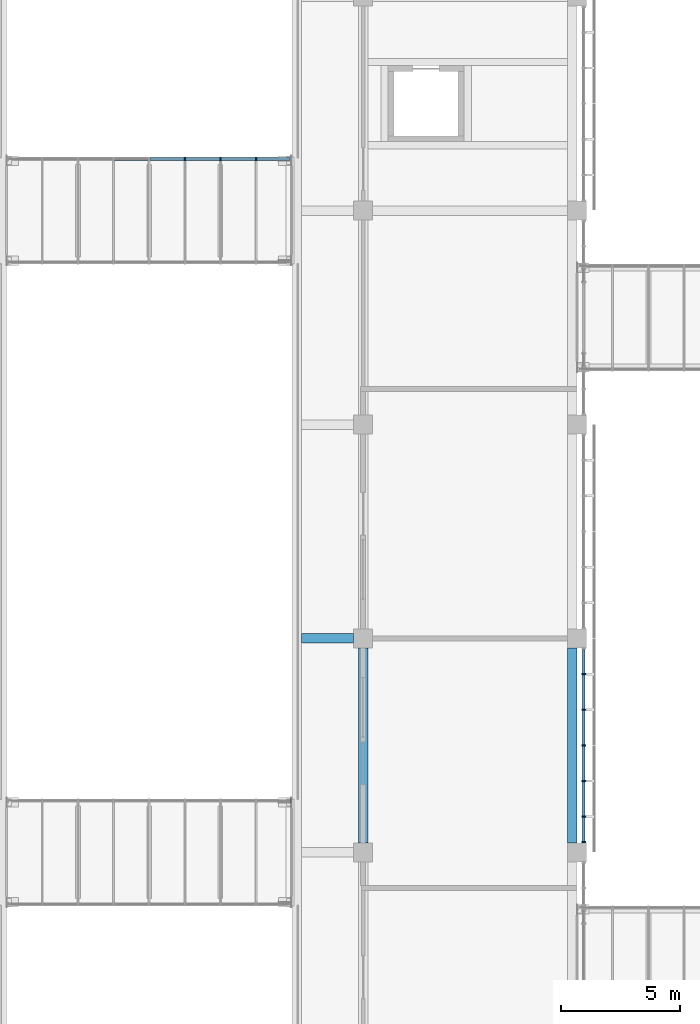
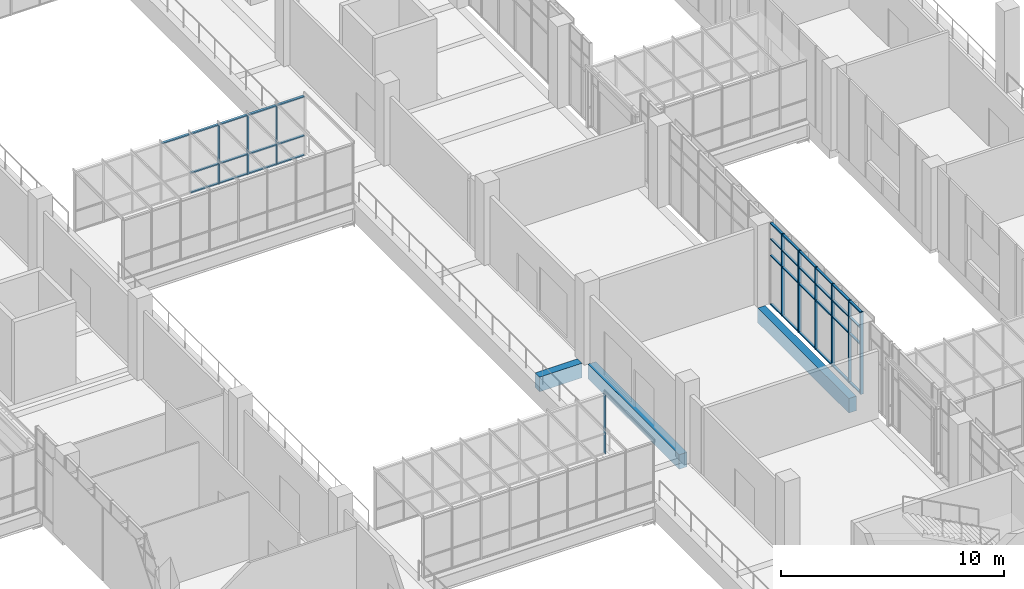
# One storey, part 21 of 88: 47 members, 3 beams, 3 elements without a shape of their own.
"""IFC4 building model written with IfcOpenShell, lengths in metres."""

import ifcopenshell
import ifcopenshell.guid

model = None  # the IFC model being written
_history = None  # IfcOwnerHistory: only IFC2X3 demands one
_inside = {}  # id of a spatial element -> (the spatial element, [elements in it])
_under = {}  # id of a project, library or spatial element -> (it, [spatial elements below it])
_declared = {}  # id of a project -> (the project, [libraries it declares])
_typed = {}  # id of a type object -> (the type object, [elements of that type])
_made_of = {}  # id of a material, layer set ... -> (it, [elements and type objects made of it])


def new_model(schema):
    """Start an empty IFC model of exactly this schema.

    Asked for "IFC4X3", IfcOpenShell would pick the latest addendum, in which some entities
    have other attributes; the version numbers below select the first issue.
    IFC2X3 requires an IfcOwnerHistory on every rooted entity: one is made here for all.
    """
    global model, _history
    if schema == "IFC4X3":
        model = ifcopenshell.file(schema_version=(4, 3, 0, 0))
    else:
        model = ifcopenshell.file(schema=schema)
    _inside.clear()
    _under.clear()
    _declared.clear()
    _typed.clear()
    _made_of.clear()
    _history = None
    if model.schema == "IFC2X3":
        org = make("IfcOrganization", Name="unknown")
        user = make(
            "IfcPersonAndOrganization",
            ThePerson=make("IfcPerson", FamilyName="unknown"),
            TheOrganization=org,
        )
        app = make(
            "IfcApplication",
            ApplicationDeveloper=org,
            Version="unknown",
            ApplicationFullName="unknown",
            ApplicationIdentifier="unknown",
        )
        _history = make(
            "IfcOwnerHistory",
            OwningUser=user,
            OwningApplication=app,
            ChangeAction="ADDED",
            CreationDate=0,
        )
    return model


def make(cls, **values):
    """One entity of the class cls with the attributes given. An attribute that is None is left unset."""
    return model.create_entity(
        cls, **{name: value for name, value in values.items() if value is not None}
    )


def rooted(cls, **values):
    """An entity with a GlobalId (a new one), such as an element, a storey or a relation."""
    return make(cls, GlobalId=ifcopenshell.guid.new(), OwnerHistory=_history, **values)


def si_unit(unit_type, name, prefix=None):
    """IfcSIUnit, for example si_unit("LENGTHUNIT", "METRE", prefix="MILLI")."""
    return make("IfcSIUnit", UnitType=unit_type, Prefix=prefix, Name=name)


def assignment(units):
    """IfcUnitAssignment: the units of a project."""
    return None if units is None else make("IfcUnitAssignment", Units=units)


def point(xyz):
    """IfcCartesianPoint."""
    return None if xyz is None else make("IfcCartesianPoint", Coordinates=xyz)


def direction(xyz):
    """IfcDirection."""
    return None if xyz is None else make("IfcDirection", DirectionRatios=xyz)


def frame(location, z_axis=None, x_axis=None):
    """IfcAxis2Placement3D, a coordinate frame: its origin and axes. An axis left out is left unset."""
    return make(
        "IfcAxis2Placement3D",
        Location=point(location),
        Axis=direction(z_axis),
        RefDirection=direction(x_axis),
    )


def frame_2d(location, x_axis=None):
    """IfcAxis2Placement2D, a coordinate frame in the plane: its origin and x axis."""
    return make(
        "IfcAxis2Placement2D", Location=point(location), RefDirection=direction(x_axis)
    )


def origin():
    """The frame at (0, 0, 0) with its axes left unset."""
    return frame((0.0, 0.0, 0.0))


def origin_2d():
    """The frame at (0, 0) in the plane with its x axis left unset."""
    return frame_2d((0.0, 0.0))


def place(relative_to, where):
    """IfcLocalPlacement: puts the frame where relative to a parent placement (None: the world)."""
    return make(
        "IfcLocalPlacement", PlacementRelTo=relative_to, RelativePlacement=where
    )


def context(
    kind, dimensions, precision=None, world=None, true_north=None, identifier=None
):
    """IfcGeometricRepresentationContext, for example the 3D "Model" context."""
    return make(
        "IfcGeometricRepresentationContext",
        ContextIdentifier=identifier,
        ContextType=kind,
        CoordinateSpaceDimension=dimensions,
        Precision=precision,
        WorldCoordinateSystem=world,
        TrueNorth=true_north,
    )


def subcontext(parent, identifier, kind, view, scale=None):
    """IfcGeometricRepresentationSubContext, for example "Body" below "Model"."""
    return make(
        "IfcGeometricRepresentationSubContext",
        ContextIdentifier=identifier,
        ContextType=kind,
        ParentContext=parent,
        TargetScale=scale,
        TargetView=view,
    )


def project(units=None, contexts=None):
    """IfcProject with its units and contexts."""
    return rooted(
        "IfcProject",
        Name="project",
        RepresentationContexts=contexts,
        UnitsInContext=assignment(units),
    )


def spatial(cls, under=None, at=None, **own):
    """A site, building, storey or space (cls), placed at a placement, below another one or the project."""
    s = rooted(cls, ObjectPlacement=at, **own)
    if under is not None:
        _under.setdefault(under.id(), (under, []))[1].append(s)
    return s


def profile(cls, at=None, kind="AREA", **sizes):
    """A parametric profile (cls). Its sizes go by their IFC names, for example OverallWidth=200.0."""
    return make(cls, ProfileType=kind, Position=at, **sizes)


def rectangle(**sizes):
    """IfcRectangleProfileDef."""
    return profile("IfcRectangleProfileDef", **sizes)


def extrude(swept, where, along, depth):
    """IfcExtrudedAreaSolid: the profile swept, set in the frame where, extruded along a direction by depth."""
    return make(
        "IfcExtrudedAreaSolid",
        SweptArea=swept,
        Position=where,
        ExtrudedDirection=direction(along),
        Depth=depth,
    )


def shape(context_of_items, identifier, shape_type, items):
    """IfcShapeRepresentation: the items that make up one representation, for example the "Body"."""
    return make(
        "IfcShapeRepresentation",
        ContextOfItems=context_of_items,
        RepresentationIdentifier=identifier,
        RepresentationType=shape_type,
        Items=items,
    )


def material(Name=None, Category=None):
    """IfcMaterial."""
    return make("IfcMaterial", Name=Name, Category=Category)


def layer(
    of_material, thickness, ventilated=None, Name=None, Category=None, Priority=None
):
    """IfcMaterialLayer: one layer of a wall or slab, of a material (None: an air gap)."""
    return make(
        "IfcMaterialLayer",
        Material=of_material,
        LayerThickness=thickness,
        IsVentilated=ventilated,
        Name=Name,
        Category=Category,
        Priority=Priority,
    )


def layer_set(layers, Name=None):
    """IfcMaterialLayerSet."""
    return make("IfcMaterialLayerSet", MaterialLayers=layers, LayerSetName=Name)


def material_profile(
    of_material, cross_section, Name=None, Category=None, Priority=None
):
    """IfcMaterialProfile: a cross section and its material."""
    return make(
        "IfcMaterialProfile",
        Name=Name,
        Material=of_material,
        Profile=cross_section,
        Priority=Priority,
        Category=Category,
    )


def profile_set(profiles, Name=None, composite=None):
    """IfcMaterialProfileSet."""
    return make(
        "IfcMaterialProfileSet",
        Name=Name,
        MaterialProfiles=profiles,
        CompositeProfile=composite,
    )


def made_of(thing, what):
    """Note that an element or type object is made of a material, layer set ...; save() writes the relation."""
    if what is not None:
        _made_of.setdefault(what.id(), (what, []))[1].append(thing)
    return thing


def type_object(cls, material=None, **own):
    """A type object (cls), such as IfcWallType, which elements share."""
    return made_of(rooted(cls, **own), material)


def element(
    cls,
    number,
    at=None,
    inside=None,
    cuts=None,
    type_object=None,
    material=None,
    context=None,
    identifier="Body",
    shape_type=None,
    held_by="IfcProductDefinitionShape",
    body=None,
    shapes=None,
    **own,
):
    """One element of the class cls, such as IfcWall. Its Tag is "e" and its number.

    at: its placement. inside: the storey or other place that contains it. cuts: it is an
    opening in that element (IfcRelVoidsElement). A single representation is given by context,
    identifier, shape_type and body (its items); several are given by shapes. held_by: the class
    of the entity that holds the representations. save() writes the other relations.
    """
    e = rooted(cls, Tag="e%d" % number, ObjectPlacement=at, **own)
    if body is not None:
        shapes = [shape(context, identifier, shape_type, body)]
    if shapes is not None:
        e.Representation = make(held_by, Representations=shapes)
    if inside is not None:
        _inside.setdefault(inside.id(), (inside, []))[1].append(e)
    if cuts is not None:
        rooted(
            "IfcRelVoidsElement", RelatingBuildingElement=cuts, RelatedOpeningElement=e
        )
    if type_object is not None:
        _typed.setdefault(type_object.id(), (type_object, []))[1].append(e)
    return made_of(e, material)


def aggregate(whole, parts):
    """IfcRelAggregates: a whole, such as a stair, and the parts it consists of."""
    return rooted("IfcRelAggregates", RelatingObject=whole, RelatedObjects=parts)


def save(model, path):
    """Write the relations noted so far, then the file.

    IfcRelAggregates (storeys below a building ...), IfcRelContainedInSpatialStructure (elements
    in a storey), IfcRelDefinesByType, IfcRelAssociatesMaterial and IfcRelDeclares: one each for
    every whole, place, type object, material and project.
    """
    for whole, parts in _under.values():
        aggregate(whole, parts)
    for where, things in _inside.values():
        rooted(
            "IfcRelContainedInSpatialStructure",
            RelatedElements=things,
            RelatingStructure=where,
        )
    for kind, things in _typed.values():
        rooted("IfcRelDefinesByType", RelatedObjects=things, RelatingType=kind)
    for what, things in _made_of.values():
        rooted("IfcRelAssociatesMaterial", RelatedObjects=things, RelatingMaterial=what)
    for by, libraries in _declared.values():
        rooted("IfcRelDeclares", RelatingContext=by, RelatedDefinitions=libraries)
    model.write(path)


model = new_model("IFC4")

# Units and contexts
model_context = context("Model", 3, precision=1e-05, world=origin(), true_north=direction((0.0, 1.0)))
body_context = subcontext(model_context, "Body", "Model", "MODEL_VIEW")
ifc_project = project(units=[si_unit("LENGTHUNIT", "METRE"), si_unit("AREAUNIT", "SQUARE_METRE"), si_unit("VOLUMEUNIT", "CUBIC_METRE"), si_unit("PLANEANGLEUNIT", "RADIAN"), si_unit("MASSUNIT", "GRAM", prefix="KILO")], contexts=[model_context])

# Site, building, storey
site_placement = place(None, origin())
site = spatial("IfcSite", under=ifc_project, at=site_placement, CompositionType="ELEMENT")
building_placement = place(site_placement, origin())
building = spatial("IfcBuilding", under=site, at=building_placement, Name="Guidao Yard Department Store", CompositionType="ELEMENT")
storey_placement = place(building_placement, frame((0.0, 0.0, 6.0)))
storey = spatial("IfcBuildingStorey", under=building, at=storey_placement, Name="L01", CompositionType="ELEMENT", Elevation=6.0)

# Beams
ifc_material_1 = material(Name="Concrete C40", Category="concrete")
ifc_material_profile_1 = material_profile(ifc_material_1, rectangle(XDim=0.39990234375, YDim=0.800048828125, at=origin_2d()), Name="Edge beam 400 x 800 C40")
ifc_profile_set_1 = profile_set([ifc_material_profile_1], Name="Concrete C40")
beam_type_1 = type_object("IfcBeamType", Name="Edge beam 400 x 800 C40", PredefinedType="BEAM", material=ifc_profile_set_1)
beam_1_placement = place(storey_placement, frame((99.0, 63.39990234375, -0.39990234375), z_axis=(0.0, 1.0, 0.0), x_axis=(-1.0, 0.0, 0.0)))
element("IfcBeam", 1, at=beam_1_placement, inside=storey, type_object=beam_type_1, Name="Beam EB50", PredefinedType="BEAM", context=body_context, shape_type="SweptSolid", body=[
    extrude(rectangle(XDim=0.39990234375, YDim=0.800048828125, at=origin_2d()), origin(), (0.0, 0.0, 1.0), 8.2001953125),
])
beam_2_placement = place(storey_placement, frame((96.39990234375, 72.0, -0.39990234375), z_axis=(1.0, 0.0, 0.0), x_axis=(0.0, 1.0, 0.0)))
element("IfcBeam", 2, at=beam_2_placement, inside=storey, type_object=beam_type_1, Name="Beam EB57", PredefinedType="BEAM", context=body_context, shape_type="SweptSolid", body=[
    extrude(rectangle(XDim=0.39990234375, YDim=0.800048828125, at=origin_2d()), origin(), (0.0, 0.0, 1.0), 2.2001953125),
])

# Curtain wall, members
ifc_material_2 = material(Name="Aluminium and glass", Category="aluminium")
ifc_layer_1 = layer(ifc_material_2, 0.159912109375)
ifc_layer_set_1 = layer_set([ifc_layer_1], Name="Shopfront curtain wall CW1 1500 module")
curtain_wall_type_1 = type_object("IfcCurtainWallType", Name="Shopfront curtain wall CW1 1500 module", PredefinedType="NOTDEFINED", material=ifc_layer_set_1)
curtain_wall_1_placement = place(storey_placement, origin())
curtain_wall_1 = element("IfcCurtainWall", 3, at=curtain_wall_1_placement, inside=storey, type_object=curtain_wall_type_1, Name="Arcade shop front", PredefinedType="NOTDEFINED")
ifc_material_3 = material(Name="Aluminium 6063-T5", Category="aluminium")
ifc_material_profile_2 = material_profile(ifc_material_3, rectangle(XDim=0.06005859375, YDim=0.159912109375, at=origin_2d()), Name="Mullion M1 60 x 160 aluminium pressure plate")
ifc_profile_set_2 = profile_set([ifc_material_profile_2], Name="Aluminium 6063-T5")
member_type_1 = type_object("IfcMemberType", Name="Mullion M1 60 x 160 aluminium pressure plate", PredefinedType="MULLION", material=ifc_profile_set_2)
member_1_placement = place(storey_placement, frame((108.280029296875, 63.429931640625, 0.0), z_axis=(0.0, 0.0, 1.0), x_axis=(0.0, -1.0, 0.0)))
member_1 = element("IfcMember", 4, at=member_1_placement, type_object=member_type_1, Name="CW-AS-L01-16 mullion 1", PredefinedType="MULLION", context=body_context, shape_type="SweptSolid", body=[
    extrude(rectangle(XDim=0.06005859375, YDim=0.159912109375, at=origin_2d()), origin(), (0.0, 0.0, 1.0), 4.5),
])
member_2_placement = place(storey_placement, frame((108.280029296875, 64.5, 0.0), z_axis=(0.0, 0.0, 1.0), x_axis=(0.0, -1.0, 0.0)))
member_2 = element("IfcMember", 5, at=member_2_placement, type_object=member_type_1, Name="CW-AS-L01-16 mullion 2", PredefinedType="MULLION", context=body_context, shape_type="SweptSolid", body=[
    extrude(rectangle(XDim=0.06005859375, YDim=0.159912109375, at=origin_2d()), origin(), (0.0, 0.0, 1.0), 4.5),
])
member_3_placement = place(storey_placement, frame((108.280029296875, 66.0, 0.0), z_axis=(0.0, 0.0, 1.0), x_axis=(0.0, -1.0, 0.0)))
member_3 = element("IfcMember", 6, at=member_3_placement, type_object=member_type_1, Name="CW-AS-L01-16 mullion 3", PredefinedType="MULLION", context=body_context, shape_type="SweptSolid", body=[
    extrude(rectangle(XDim=0.06005859375, YDim=0.159912109375, at=origin_2d()), origin(), (0.0, 0.0, 1.0), 4.5),
])
member_4_placement = place(storey_placement, frame((108.280029296875, 67.5, 0.0), z_axis=(0.0, 0.0, 1.0), x_axis=(0.0, -1.0, 0.0)))
member_4 = element("IfcMember", 7, at=member_4_placement, type_object=member_type_1, Name="CW-AS-L01-16 mullion 4", PredefinedType="MULLION", context=body_context, shape_type="SweptSolid", body=[
    extrude(rectangle(XDim=0.06005859375, YDim=0.159912109375, at=origin_2d()), origin(), (0.0, 0.0, 1.0), 4.5),
])
member_5_placement = place(storey_placement, frame((108.280029296875, 69.0, 0.0), z_axis=(0.0, 0.0, 1.0), x_axis=(0.0, -1.0, 0.0)))
member_5 = element("IfcMember", 8, at=member_5_placement, type_object=member_type_1, Name="CW-AS-L01-16 mullion 5", PredefinedType="MULLION", context=body_context, shape_type="SweptSolid", body=[
    extrude(rectangle(XDim=0.06005859375, YDim=0.159912109375, at=origin_2d()), origin(), (0.0, 0.0, 1.0), 4.5),
])
member_6_placement = place(storey_placement, frame((108.280029296875, 70.5, 0.0), z_axis=(0.0, 0.0, 1.0), x_axis=(0.0, -1.0, 0.0)))
member_6 = element("IfcMember", 9, at=member_6_placement, type_object=member_type_1, Name="CW-AS-L01-16 mullion 6", PredefinedType="MULLION", context=body_context, shape_type="SweptSolid", body=[
    extrude(rectangle(XDim=0.06005859375, YDim=0.159912109375, at=origin_2d()), origin(), (0.0, 0.0, 1.0), 4.5),
])

# Curtain wall, member
ifc_material_4 = material(Name="Aluminium and glass", Category="aluminium")
ifc_layer_2 = layer(ifc_material_4, 0.159912109375)
ifc_layer_set_2 = layer_set([ifc_layer_2], Name="Bridge glazing CW5 1500 module")
curtain_wall_type_2 = type_object("IfcCurtainWallType", Name="Bridge glazing CW5 1500 module", PredefinedType="NOTDEFINED", material=ifc_layer_set_2)
curtain_wall_2_placement = place(storey_placement, origin())
curtain_wall_2 = element("IfcCurtainWall", 10, at=curtain_wall_2_placement, inside=storey, type_object=curtain_wall_type_2, Name="Bridge glazing BR09 N", PredefinedType="NOTDEFINED")
member_7_placement = place(storey_placement, frame((95.955078125, 65.169921875, 0.0), z_axis=(0.0, 0.0, 1.0), x_axis=(1.0, 0.0, 0.0)))
member_7 = element("IfcMember", 11, at=member_7_placement, type_object=member_type_1, Name="CW-N-L01-10 mullion 9", PredefinedType="MULLION", context=body_context, shape_type="SweptSolid", body=[
    extrude(rectangle(XDim=0.06005859375, YDim=0.159912109375, at=origin_2d()), origin(), (0.0, 0.0, 1.0), 3.27001953125),
])
aggregate(curtain_wall_2, [member_7])

# Curtain wall, members
curtain_wall_3_placement = place(storey_placement, origin())
curtain_wall_3 = element("IfcCurtainWall", 12, at=curtain_wall_3_placement, inside=storey, type_object=curtain_wall_type_2, Name="Bridge glazing BR10 N", PredefinedType="NOTDEFINED")
member_8_placement = place(storey_placement, frame((91.5, 92.169921875, 0.0), z_axis=(0.0, 0.0, 1.0), x_axis=(1.0, 0.0, 0.0)))
member_8 = element("IfcMember", 13, at=member_8_placement, type_object=member_type_1, Name="CW-N-L01-12 mullion 6", PredefinedType="MULLION", context=body_context, shape_type="SweptSolid", body=[
    extrude(rectangle(XDim=0.06005859375, YDim=0.159912109375, at=origin_2d()), origin(), (0.0, 0.0, 1.0), 3.27001953125),
])
member_9_placement = place(storey_placement, frame((93.0, 92.169921875, 0.0), z_axis=(0.0, 0.0, 1.0), x_axis=(1.0, 0.0, 0.0)))
member_9 = element("IfcMember", 14, at=member_9_placement, type_object=member_type_1, Name="CW-N-L01-12 mullion 7", PredefinedType="MULLION", context=body_context, shape_type="SweptSolid", body=[
    extrude(rectangle(XDim=0.06005859375, YDim=0.159912109375, at=origin_2d()), origin(), (0.0, 0.0, 1.0), 3.27001953125),
])
member_10_placement = place(storey_placement, frame((94.5, 92.169921875, 0.0), z_axis=(0.0, 0.0, 1.0), x_axis=(1.0, 0.0, 0.0)))
member_10 = element("IfcMember", 15, at=member_10_placement, type_object=member_type_1, Name="CW-N-L01-12 mullion 8", PredefinedType="MULLION", context=body_context, shape_type="SweptSolid", body=[
    extrude(rectangle(XDim=0.06005859375, YDim=0.159912109375, at=origin_2d()), origin(), (0.0, 0.0, 1.0), 3.27001953125),
])

# Beam
ifc_material_5 = material(Name="Concrete C40", Category="concrete")
ifc_material_profile_3 = material_profile(ifc_material_5, rectangle(XDim=0.39990234375, YDim=0.800048828125, at=origin_2d()), Name="Spandrel beam 400 x 800 C40")
ifc_profile_set_3 = profile_set([ifc_material_profile_3], Name="Concrete C40")
beam_type_2 = type_object("IfcBeamType", Name="Spandrel beam 400 x 800 C40", PredefinedType="SPANDREL", material=ifc_profile_set_3)
beam_3_placement = place(storey_placement, frame((107.800048828125, 63.39990234375, -0.39990234375), z_axis=(0.0, 1.0, 0.0), x_axis=(-1.0, 0.0, 0.0)))
element("IfcBeam", 16, at=beam_3_placement, inside=storey, type_object=beam_type_2, Name="Beam EB45", PredefinedType="SPANDREL", context=body_context, shape_type="SweptSolid", body=[
    extrude(rectangle(XDim=0.39990234375, YDim=0.800048828125, at=origin_2d()), origin(), (0.0, 0.0, 1.0), 8.2001953125),
])

# Member
ifc_material_6 = material(Name="Aluminium 6063-T5", Category="aluminium")
ifc_material_profile_4 = material_profile(ifc_material_6, rectangle(XDim=0.1201171875, YDim=0.06005859375, at=origin_2d()), Name="Transom T1 60 x 120 aluminium pressure plate")
ifc_profile_set_4 = profile_set([ifc_material_profile_4], Name="Aluminium 6063-T5")
member_type_2 = type_object("IfcMemberType", Name="Transom T1 60 x 120 aluminium pressure plate", PredefinedType="USERDEFINED", material=ifc_profile_set_4)
member_11_placement = place(storey_placement, frame((108.280029296875, 64.469970703125, 0.030029296875), z_axis=(0.0, -1.0, 0.0), x_axis=(1.0, 0.0, 0.0)))
member_11 = element("IfcMember", 17, at=member_11_placement, type_object=member_type_2, Name="CW-AS-L01-16 transom 1.1", ObjectType="TRANSOM", PredefinedType="USERDEFINED", context=body_context, shape_type="SweptSolid", body=[
    extrude(rectangle(XDim=0.1201171875, YDim=0.06005859375, at=origin_2d()), origin(), (0.0, 0.0, 1.0), 1.010009765625),
])

member_12_placement = place(storey_placement, frame((108.280029296875, 64.469970703125, 2.699951171875), z_axis=(0.0, -1.0, 0.0), x_axis=(1.0, 0.0, 0.0)))
member_12 = element("IfcMember", 18, at=member_12_placement, type_object=member_type_2, Name="CW-AS-L01-16 transom 1.2", ObjectType="TRANSOM", PredefinedType="USERDEFINED", context=body_context, shape_type="SweptSolid", body=[
    extrude(rectangle(XDim=0.1201171875, YDim=0.06005859375, at=origin_2d()), origin(), (0.0, 0.0, 1.0), 1.010009765625),
])

member_13_placement = place(storey_placement, frame((108.280029296875, 64.469970703125, 3.60009765625), z_axis=(0.0, -1.0, 0.0), x_axis=(1.0, 0.0, 0.0)))
member_13 = element("IfcMember", 19, at=member_13_placement, type_object=member_type_2, Name="CW-AS-L01-16 transom 1.3", ObjectType="TRANSOM", PredefinedType="USERDEFINED", context=body_context, shape_type="SweptSolid", body=[
    extrude(rectangle(XDim=0.1201171875, YDim=0.06005859375, at=origin_2d()), origin(), (0.0, 0.0, 1.0), 1.010009765625),
])

member_14_placement = place(storey_placement, frame((108.280029296875, 64.469970703125, 4.469970703125), z_axis=(0.0, -1.0, 0.0), x_axis=(1.0, 0.0, 0.0)))
member_14 = element("IfcMember", 20, at=member_14_placement, type_object=member_type_2, Name="CW-AS-L01-16 transom 1.4", ObjectType="TRANSOM", PredefinedType="USERDEFINED", context=body_context, shape_type="SweptSolid", body=[
    extrude(rectangle(XDim=0.1201171875, YDim=0.06005859375, at=origin_2d()), origin(), (0.0, 0.0, 1.0), 1.010009765625),
])

member_15_placement = place(storey_placement, frame((108.280029296875, 65.969970703125, 0.030029296875), z_axis=(0.0, -1.0, 0.0), x_axis=(1.0, 0.0, 0.0)))
member_15 = element("IfcMember", 21, at=member_15_placement, type_object=member_type_2, Name="CW-AS-L01-16 transom 2.1", ObjectType="TRANSOM", PredefinedType="USERDEFINED", context=body_context, shape_type="SweptSolid", body=[
    extrude(rectangle(XDim=0.1201171875, YDim=0.06005859375, at=origin_2d()), origin(), (0.0, 0.0, 1.0), 1.43994140625),
])

member_16_placement = place(storey_placement, frame((108.280029296875, 65.969970703125, 2.699951171875), z_axis=(0.0, -1.0, 0.0), x_axis=(1.0, 0.0, 0.0)))
member_16 = element("IfcMember", 22, at=member_16_placement, type_object=member_type_2, Name="CW-AS-L01-16 transom 2.2", ObjectType="TRANSOM", PredefinedType="USERDEFINED", context=body_context, shape_type="SweptSolid", body=[
    extrude(rectangle(XDim=0.1201171875, YDim=0.06005859375, at=origin_2d()), origin(), (0.0, 0.0, 1.0), 1.43994140625),
])

member_17_placement = place(storey_placement, frame((108.280029296875, 65.969970703125, 3.60009765625), z_axis=(0.0, -1.0, 0.0), x_axis=(1.0, 0.0, 0.0)))
member_17 = element("IfcMember", 23, at=member_17_placement, type_object=member_type_2, Name="CW-AS-L01-16 transom 2.3", ObjectType="TRANSOM", PredefinedType="USERDEFINED", context=body_context, shape_type="SweptSolid", body=[
    extrude(rectangle(XDim=0.1201171875, YDim=0.06005859375, at=origin_2d()), origin(), (0.0, 0.0, 1.0), 1.43994140625),
])

member_18_placement = place(storey_placement, frame((108.280029296875, 65.969970703125, 4.469970703125), z_axis=(0.0, -1.0, 0.0), x_axis=(1.0, 0.0, 0.0)))
member_18 = element("IfcMember", 24, at=member_18_placement, type_object=member_type_2, Name="CW-AS-L01-16 transom 2.4", ObjectType="TRANSOM", PredefinedType="USERDEFINED", context=body_context, shape_type="SweptSolid", body=[
    extrude(rectangle(XDim=0.1201171875, YDim=0.06005859375, at=origin_2d()), origin(), (0.0, 0.0, 1.0), 1.43994140625),
])

member_19_placement = place(storey_placement, frame((108.280029296875, 67.469970703125, 0.030029296875), z_axis=(0.0, -1.0, 0.0), x_axis=(1.0, 0.0, 0.0)))
member_19 = element("IfcMember", 25, at=member_19_placement, type_object=member_type_2, Name="CW-AS-L01-16 transom 3.1", ObjectType="TRANSOM", PredefinedType="USERDEFINED", context=body_context, shape_type="SweptSolid", body=[
    extrude(rectangle(XDim=0.1201171875, YDim=0.06005859375, at=origin_2d()), origin(), (0.0, 0.0, 1.0), 1.43994140625),
])

member_20_placement = place(storey_placement, frame((108.280029296875, 67.469970703125, 2.699951171875), z_axis=(0.0, -1.0, 0.0), x_axis=(1.0, 0.0, 0.0)))
member_20 = element("IfcMember", 26, at=member_20_placement, type_object=member_type_2, Name="CW-AS-L01-16 transom 3.2", ObjectType="TRANSOM", PredefinedType="USERDEFINED", context=body_context, shape_type="SweptSolid", body=[
    extrude(rectangle(XDim=0.1201171875, YDim=0.06005859375, at=origin_2d()), origin(), (0.0, 0.0, 1.0), 1.43994140625),
])

member_21_placement = place(storey_placement, frame((108.280029296875, 67.469970703125, 3.60009765625), z_axis=(0.0, -1.0, 0.0), x_axis=(1.0, 0.0, 0.0)))
member_21 = element("IfcMember", 27, at=member_21_placement, type_object=member_type_2, Name="CW-AS-L01-16 transom 3.3", ObjectType="TRANSOM", PredefinedType="USERDEFINED", context=body_context, shape_type="SweptSolid", body=[
    extrude(rectangle(XDim=0.1201171875, YDim=0.06005859375, at=origin_2d()), origin(), (0.0, 0.0, 1.0), 1.43994140625),
])

member_22_placement = place(storey_placement, frame((108.280029296875, 67.469970703125, 4.469970703125), z_axis=(0.0, -1.0, 0.0), x_axis=(1.0, 0.0, 0.0)))
member_22 = element("IfcMember", 28, at=member_22_placement, type_object=member_type_2, Name="CW-AS-L01-16 transom 3.4", ObjectType="TRANSOM", PredefinedType="USERDEFINED", context=body_context, shape_type="SweptSolid", body=[
    extrude(rectangle(XDim=0.1201171875, YDim=0.06005859375, at=origin_2d()), origin(), (0.0, 0.0, 1.0), 1.43994140625),
])

member_23_placement = place(storey_placement, frame((108.280029296875, 68.969970703125, 0.030029296875), z_axis=(0.0, -1.0, 0.0), x_axis=(1.0, 0.0, 0.0)))
member_23 = element("IfcMember", 29, at=member_23_placement, type_object=member_type_2, Name="CW-AS-L01-16 transom 4.1", ObjectType="TRANSOM", PredefinedType="USERDEFINED", context=body_context, shape_type="SweptSolid", body=[
    extrude(rectangle(XDim=0.1201171875, YDim=0.06005859375, at=origin_2d()), origin(), (0.0, 0.0, 1.0), 1.43994140625),
])

member_24_placement = place(storey_placement, frame((108.280029296875, 68.969970703125, 2.699951171875), z_axis=(0.0, -1.0, 0.0), x_axis=(1.0, 0.0, 0.0)))
member_24 = element("IfcMember", 30, at=member_24_placement, type_object=member_type_2, Name="CW-AS-L01-16 transom 4.2", ObjectType="TRANSOM", PredefinedType="USERDEFINED", context=body_context, shape_type="SweptSolid", body=[
    extrude(rectangle(XDim=0.1201171875, YDim=0.06005859375, at=origin_2d()), origin(), (0.0, 0.0, 1.0), 1.43994140625),
])

member_25_placement = place(storey_placement, frame((108.280029296875, 68.969970703125, 3.60009765625), z_axis=(0.0, -1.0, 0.0), x_axis=(1.0, 0.0, 0.0)))
member_25 = element("IfcMember", 31, at=member_25_placement, type_object=member_type_2, Name="CW-AS-L01-16 transom 4.3", ObjectType="TRANSOM", PredefinedType="USERDEFINED", context=body_context, shape_type="SweptSolid", body=[
    extrude(rectangle(XDim=0.1201171875, YDim=0.06005859375, at=origin_2d()), origin(), (0.0, 0.0, 1.0), 1.43994140625),
])

member_26_placement = place(storey_placement, frame((108.280029296875, 68.969970703125, 4.469970703125), z_axis=(0.0, -1.0, 0.0), x_axis=(1.0, 0.0, 0.0)))
member_26 = element("IfcMember", 32, at=member_26_placement, type_object=member_type_2, Name="CW-AS-L01-16 transom 4.4", ObjectType="TRANSOM", PredefinedType="USERDEFINED", context=body_context, shape_type="SweptSolid", body=[
    extrude(rectangle(XDim=0.1201171875, YDim=0.06005859375, at=origin_2d()), origin(), (0.0, 0.0, 1.0), 1.43994140625),
])

member_27_placement = place(storey_placement, frame((108.280029296875, 70.469970703125, 0.030029296875), z_axis=(0.0, -1.0, 0.0), x_axis=(1.0, 0.0, 0.0)))
member_27 = element("IfcMember", 33, at=member_27_placement, type_object=member_type_2, Name="CW-AS-L01-16 transom 5.1", ObjectType="TRANSOM", PredefinedType="USERDEFINED", context=body_context, shape_type="SweptSolid", body=[
    extrude(rectangle(XDim=0.1201171875, YDim=0.06005859375, at=origin_2d()), origin(), (0.0, 0.0, 1.0), 1.43994140625),
])

member_28_placement = place(storey_placement, frame((108.280029296875, 70.469970703125, 2.699951171875), z_axis=(0.0, -1.0, 0.0), x_axis=(1.0, 0.0, 0.0)))
member_28 = element("IfcMember", 34, at=member_28_placement, type_object=member_type_2, Name="CW-AS-L01-16 transom 5.2", ObjectType="TRANSOM", PredefinedType="USERDEFINED", context=body_context, shape_type="SweptSolid", body=[
    extrude(rectangle(XDim=0.1201171875, YDim=0.06005859375, at=origin_2d()), origin(), (0.0, 0.0, 1.0), 1.43994140625),
])

member_29_placement = place(storey_placement, frame((108.280029296875, 70.469970703125, 3.60009765625), z_axis=(0.0, -1.0, 0.0), x_axis=(1.0, 0.0, 0.0)))
member_29 = element("IfcMember", 35, at=member_29_placement, type_object=member_type_2, Name="CW-AS-L01-16 transom 5.3", ObjectType="TRANSOM", PredefinedType="USERDEFINED", context=body_context, shape_type="SweptSolid", body=[
    extrude(rectangle(XDim=0.1201171875, YDim=0.06005859375, at=origin_2d()), origin(), (0.0, 0.0, 1.0), 1.43994140625),
])

member_30_placement = place(storey_placement, frame((108.280029296875, 70.469970703125, 4.469970703125), z_axis=(0.0, -1.0, 0.0), x_axis=(1.0, 0.0, 0.0)))
member_30 = element("IfcMember", 36, at=member_30_placement, type_object=member_type_2, Name="CW-AS-L01-16 transom 5.4", ObjectType="TRANSOM", PredefinedType="USERDEFINED", context=body_context, shape_type="SweptSolid", body=[
    extrude(rectangle(XDim=0.1201171875, YDim=0.06005859375, at=origin_2d()), origin(), (0.0, 0.0, 1.0), 1.43994140625),
])

member_31_placement = place(storey_placement, frame((108.280029296875, 71.5400390625, 0.030029296875), z_axis=(0.0, -1.0, 0.0), x_axis=(1.0, 0.0, 0.0)))
member_31 = element("IfcMember", 37, at=member_31_placement, type_object=member_type_2, Name="CW-AS-L01-16 transom 6.1", ObjectType="TRANSOM", PredefinedType="USERDEFINED", context=body_context, shape_type="SweptSolid", body=[
    extrude(rectangle(XDim=0.1201171875, YDim=0.06005859375, at=origin_2d()), origin(), (0.0, 0.0, 1.0), 1.010009765625),
])

member_32_placement = place(storey_placement, frame((108.280029296875, 71.5400390625, 2.699951171875), z_axis=(0.0, -1.0, 0.0), x_axis=(1.0, 0.0, 0.0)))
member_32 = element("IfcMember", 38, at=member_32_placement, type_object=member_type_2, Name="CW-AS-L01-16 transom 6.2", ObjectType="TRANSOM", PredefinedType="USERDEFINED", context=body_context, shape_type="SweptSolid", body=[
    extrude(rectangle(XDim=0.1201171875, YDim=0.06005859375, at=origin_2d()), origin(), (0.0, 0.0, 1.0), 1.010009765625),
])

member_33_placement = place(storey_placement, frame((108.280029296875, 71.5400390625, 3.60009765625), z_axis=(0.0, -1.0, 0.0), x_axis=(1.0, 0.0, 0.0)))
member_33 = element("IfcMember", 39, at=member_33_placement, type_object=member_type_2, Name="CW-AS-L01-16 transom 6.3", ObjectType="TRANSOM", PredefinedType="USERDEFINED", context=body_context, shape_type="SweptSolid", body=[
    extrude(rectangle(XDim=0.1201171875, YDim=0.06005859375, at=origin_2d()), origin(), (0.0, 0.0, 1.0), 1.010009765625),
])

member_34_placement = place(storey_placement, frame((108.280029296875, 71.5400390625, 4.469970703125), z_axis=(0.0, -1.0, 0.0), x_axis=(1.0, 0.0, 0.0)))
member_34 = element("IfcMember", 40, at=member_34_placement, type_object=member_type_2, Name="CW-AS-L01-16 transom 6.4", ObjectType="TRANSOM", PredefinedType="USERDEFINED", context=body_context, shape_type="SweptSolid", body=[
    extrude(rectangle(XDim=0.1201171875, YDim=0.06005859375, at=origin_2d()), origin(), (0.0, 0.0, 1.0), 1.010009765625),
])

aggregate(curtain_wall_1, [member_1, member_2, member_3, member_4, member_5, member_6, member_11, member_12, member_13, member_14, member_15, member_16, member_17, member_18, member_19, member_20, member_21, member_22, member_23, member_24, member_25, member_26, member_27, member_28, member_29, member_30, member_31, member_32, member_33, member_34])

member_35_placement = place(storey_placement, frame((88.530029296875, 92.169921875, 3.239990234375), z_axis=(1.0, 0.0, 0.0), x_axis=(0.0, 1.0, 0.0)))
member_35 = element("IfcMember", 41, at=member_35_placement, type_object=member_type_2, Name="CW-N-L01-12 transom 4.3", ObjectType="TRANSOM", PredefinedType="USERDEFINED", context=body_context, shape_type="SweptSolid", body=[
    extrude(rectangle(XDim=0.1201171875, YDim=0.06005859375, at=origin_2d()), origin(), (0.0, 0.0, 1.0), 1.43994140625),
])

member_36_placement = place(storey_placement, frame((90.030029296875, 92.169921875, 0.030029296875), z_axis=(1.0, 0.0, 0.0), x_axis=(0.0, 1.0, 0.0)))
member_36 = element("IfcMember", 42, at=member_36_placement, type_object=member_type_2, Name="CW-N-L01-12 transom 5.1", ObjectType="TRANSOM", PredefinedType="USERDEFINED", context=body_context, shape_type="SweptSolid", body=[
    extrude(rectangle(XDim=0.1201171875, YDim=0.06005859375, at=origin_2d()), origin(), (0.0, 0.0, 1.0), 1.43994140625),
])

member_37_placement = place(storey_placement, frame((90.030029296875, 92.169921875, 1.10009765625), z_axis=(1.0, 0.0, 0.0), x_axis=(0.0, 1.0, 0.0)))
member_37 = element("IfcMember", 43, at=member_37_placement, type_object=member_type_2, Name="CW-N-L01-12 transom 5.2", ObjectType="TRANSOM", PredefinedType="USERDEFINED", context=body_context, shape_type="SweptSolid", body=[
    extrude(rectangle(XDim=0.1201171875, YDim=0.06005859375, at=origin_2d()), origin(), (0.0, 0.0, 1.0), 1.43994140625),
])

member_38_placement = place(storey_placement, frame((90.030029296875, 92.169921875, 3.239990234375), z_axis=(1.0, 0.0, 0.0), x_axis=(0.0, 1.0, 0.0)))
member_38 = element("IfcMember", 44, at=member_38_placement, type_object=member_type_2, Name="CW-N-L01-12 transom 5.3", ObjectType="TRANSOM", PredefinedType="USERDEFINED", context=body_context, shape_type="SweptSolid", body=[
    extrude(rectangle(XDim=0.1201171875, YDim=0.06005859375, at=origin_2d()), origin(), (0.0, 0.0, 1.0), 1.43994140625),
])

member_39_placement = place(storey_placement, frame((91.530029296875, 92.169921875, 0.030029296875), z_axis=(1.0, 0.0, 0.0), x_axis=(0.0, 1.0, 0.0)))
member_39 = element("IfcMember", 45, at=member_39_placement, type_object=member_type_2, Name="CW-N-L01-12 transom 6.1", ObjectType="TRANSOM", PredefinedType="USERDEFINED", context=body_context, shape_type="SweptSolid", body=[
    extrude(rectangle(XDim=0.1201171875, YDim=0.06005859375, at=origin_2d()), origin(), (0.0, 0.0, 1.0), 1.43994140625),
])

member_40_placement = place(storey_placement, frame((91.530029296875, 92.169921875, 1.10009765625), z_axis=(1.0, 0.0, 0.0), x_axis=(0.0, 1.0, 0.0)))
member_40 = element("IfcMember", 46, at=member_40_placement, type_object=member_type_2, Name="CW-N-L01-12 transom 6.2", ObjectType="TRANSOM", PredefinedType="USERDEFINED", context=body_context, shape_type="SweptSolid", body=[
    extrude(rectangle(XDim=0.1201171875, YDim=0.06005859375, at=origin_2d()), origin(), (0.0, 0.0, 1.0), 1.43994140625),
])

member_41_placement = place(storey_placement, frame((91.530029296875, 92.169921875, 3.239990234375), z_axis=(1.0, 0.0, 0.0), x_axis=(0.0, 1.0, 0.0)))
member_41 = element("IfcMember", 47, at=member_41_placement, type_object=member_type_2, Name="CW-N-L01-12 transom 6.3", ObjectType="TRANSOM", PredefinedType="USERDEFINED", context=body_context, shape_type="SweptSolid", body=[
    extrude(rectangle(XDim=0.1201171875, YDim=0.06005859375, at=origin_2d()), origin(), (0.0, 0.0, 1.0), 1.43994140625),
])

member_42_placement = place(storey_placement, frame((93.030029296875, 92.169921875, 0.030029296875), z_axis=(1.0, 0.0, 0.0), x_axis=(0.0, 1.0, 0.0)))
member_42 = element("IfcMember", 48, at=member_42_placement, type_object=member_type_2, Name="CW-N-L01-12 transom 7.1", ObjectType="TRANSOM", PredefinedType="USERDEFINED", context=body_context, shape_type="SweptSolid", body=[
    extrude(rectangle(XDim=0.1201171875, YDim=0.06005859375, at=origin_2d()), origin(), (0.0, 0.0, 1.0), 1.43994140625),
])

member_43_placement = place(storey_placement, frame((93.030029296875, 92.169921875, 1.10009765625), z_axis=(1.0, 0.0, 0.0), x_axis=(0.0, 1.0, 0.0)))
member_43 = element("IfcMember", 49, at=member_43_placement, type_object=member_type_2, Name="CW-N-L01-12 transom 7.2", ObjectType="TRANSOM", PredefinedType="USERDEFINED", context=body_context, shape_type="SweptSolid", body=[
    extrude(rectangle(XDim=0.1201171875, YDim=0.06005859375, at=origin_2d()), origin(), (0.0, 0.0, 1.0), 1.43994140625),
])

member_44_placement = place(storey_placement, frame((93.030029296875, 92.169921875, 3.239990234375), z_axis=(1.0, 0.0, 0.0), x_axis=(0.0, 1.0, 0.0)))
member_44 = element("IfcMember", 50, at=member_44_placement, type_object=member_type_2, Name="CW-N-L01-12 transom 7.3", ObjectType="TRANSOM", PredefinedType="USERDEFINED", context=body_context, shape_type="SweptSolid", body=[
    extrude(rectangle(XDim=0.1201171875, YDim=0.06005859375, at=origin_2d()), origin(), (0.0, 0.0, 1.0), 1.43994140625),
])

member_45_placement = place(storey_placement, frame((94.530029296875, 92.169921875, 0.030029296875), z_axis=(1.0, 0.0, 0.0), x_axis=(0.0, 1.0, 0.0)))
member_45 = element("IfcMember", 51, at=member_45_placement, type_object=member_type_2, Name="CW-N-L01-12 transom 8.1", ObjectType="TRANSOM", PredefinedType="USERDEFINED", context=body_context, shape_type="SweptSolid", body=[
    extrude(rectangle(XDim=0.1201171875, YDim=0.06005859375, at=origin_2d()), origin(), (0.0, 0.0, 1.0), 1.39501953125),
])

member_46_placement = place(storey_placement, frame((94.530029296875, 92.169921875, 1.10009765625), z_axis=(1.0, 0.0, 0.0), x_axis=(0.0, 1.0, 0.0)))
member_46 = element("IfcMember", 52, at=member_46_placement, type_object=member_type_2, Name="CW-N-L01-12 transom 8.2", ObjectType="TRANSOM", PredefinedType="USERDEFINED", context=body_context, shape_type="SweptSolid", body=[
    extrude(rectangle(XDim=0.1201171875, YDim=0.06005859375, at=origin_2d()), origin(), (0.0, 0.0, 1.0), 1.39501953125),
])

member_47_placement = place(storey_placement, frame((94.530029296875, 92.169921875, 3.239990234375), z_axis=(1.0, 0.0, 0.0), x_axis=(0.0, 1.0, 0.0)))
member_47 = element("IfcMember", 53, at=member_47_placement, type_object=member_type_2, Name="CW-N-L01-12 transom 8.3", ObjectType="TRANSOM", PredefinedType="USERDEFINED", context=body_context, shape_type="SweptSolid", body=[
    extrude(rectangle(XDim=0.1201171875, YDim=0.06005859375, at=origin_2d()), origin(), (0.0, 0.0, 1.0), 1.39501953125),
])

aggregate(curtain_wall_3, [member_8, member_9, member_10, member_35, member_36, member_37, member_38, member_39, member_40, member_41, member_42, member_43, member_44, member_45, member_46, member_47])

save(model, "model.ifc")
